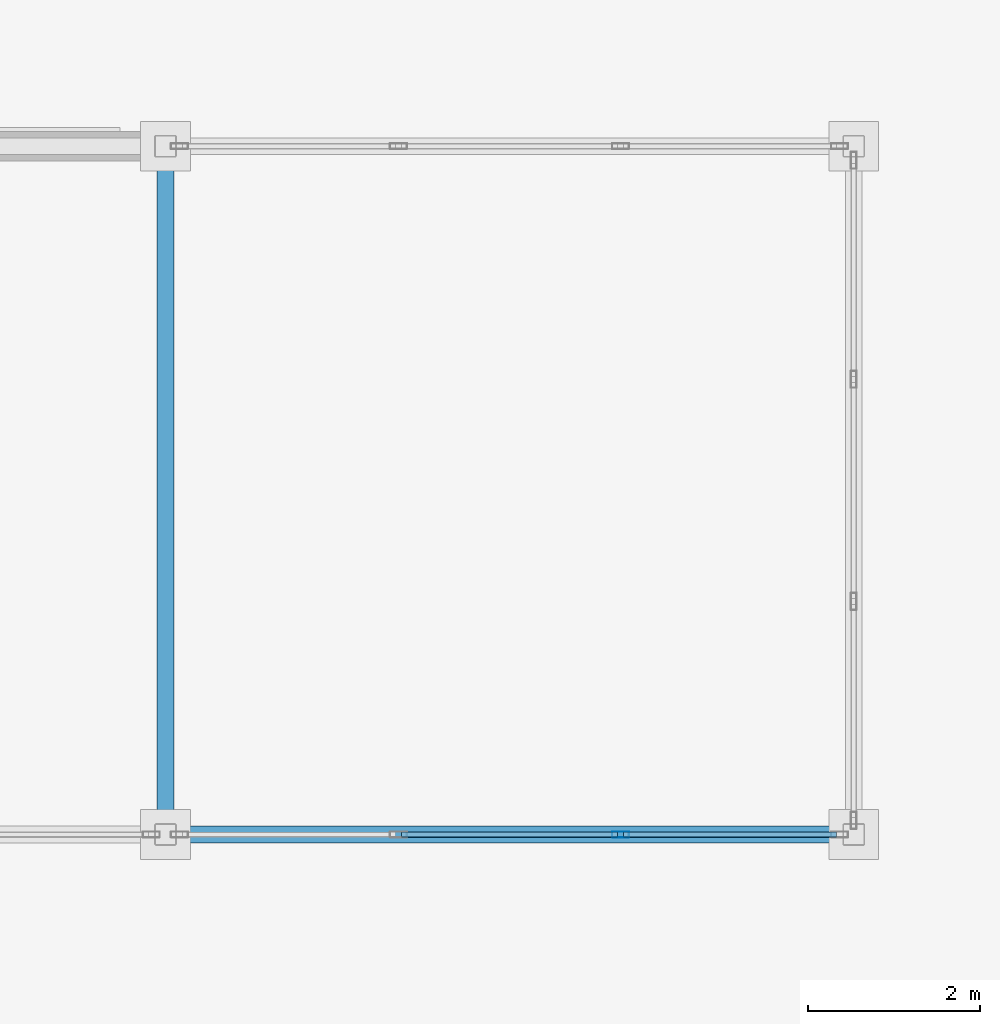
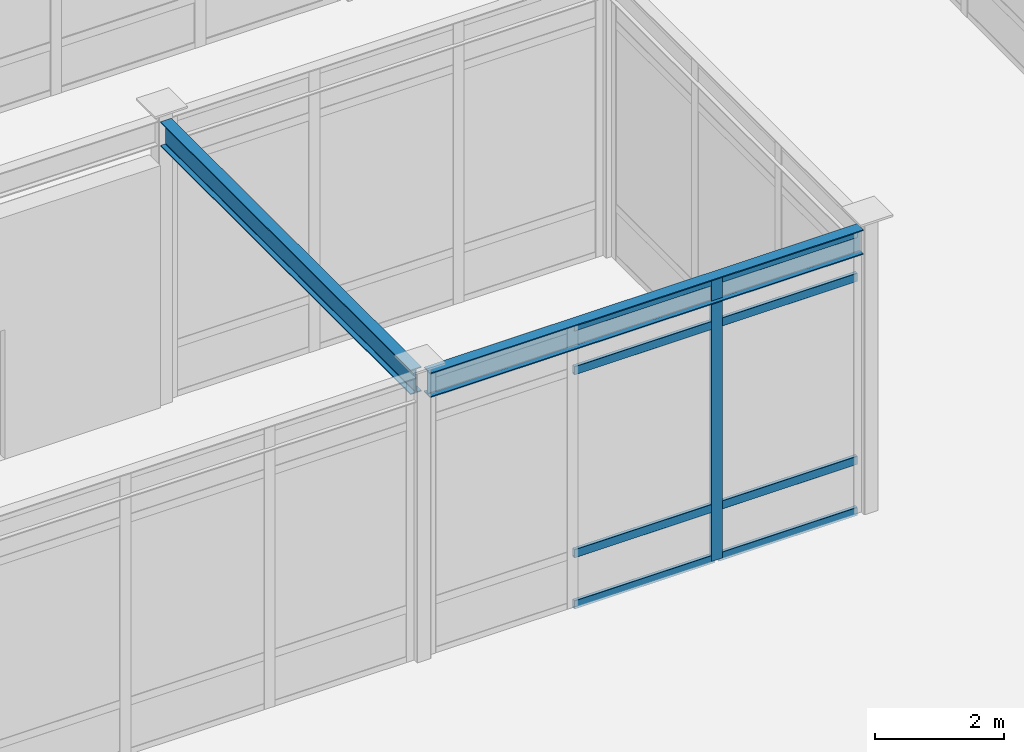
# One storey, part 45 of 128: 9 members, 2 beams, 1 element without a shape of its own.
"""IFC4 building model written with IfcOpenShell, lengths in metres."""

from ifc_helpers import new_model, si_unit, direction, frame, origin, origin_2d, place, context, subcontext, project, spatial, hollow_rectangle, i_section, extrude, material, material_profile, profile_set, type_object, element, aggregate, save


model = new_model("IFC4")

# Units and contexts
model_context = context("Model", 3, precision=1e-05, world=origin(), true_north=direction((0.0, 1.0)))
body_context = subcontext(model_context, "Body", "Model", "MODEL_VIEW")
ifc_project = project(units=[si_unit("LENGTHUNIT", "METRE"), si_unit("AREAUNIT", "SQUARE_METRE"), si_unit("VOLUMEUNIT", "CUBIC_METRE"), si_unit("PLANEANGLEUNIT", "RADIAN"), si_unit("MASSUNIT", "GRAM", prefix="KILO")], contexts=[model_context])

# Site, building, storey
site_placement = place(None, origin())
site = spatial("IfcSite", under=ifc_project, at=site_placement, CompositionType="ELEMENT")
building_placement = place(site_placement, origin())
building = spatial("IfcBuilding", under=site, at=building_placement, Name="Solmirada Galleria", CompositionType="ELEMENT")
storey_placement = place(building_placement, origin())
storey = spatial("IfcBuildingStorey", under=building, at=storey_placement, Name="L00", CompositionType="ELEMENT", Elevation=0.0)

# Beams
ifc_material_1 = material(Name="Steel S355 / ASTM A992 Grade 50", Category="steel")
ifc_material_profile_1 = material_profile(ifc_material_1, i_section(OverallWidth=0.193115234375, OverallDepth=0.466064453125, WebThickness=0.011474609375, FlangeThickness=0.01904296875, FilletRadius=0.013916015625, at=origin_2d()), Name="W18X65")
ifc_profile_set_1 = profile_set([ifc_material_profile_1], Name="Steel S355 / ASTM A992 Grade 50")
beam_type = type_object("IfcBeamType", Name="BM-GIRD-W18C", PredefinedType="BEAM", material=ifc_profile_set_1)
for number, where, z_axis, x_axis, name in (
    (1, (64.126953125, 56.0, 5.139892578125), (1.0, 0.0, 0.0), (0.0, 1.0, 0.0), "Arcade boutique roof girder BW"),
    (2, (64.0, 56.126953125, 5.139892578125), (0.0, 1.0, 0.0), (-1.0, 0.0, 0.0), "Arcade boutique transverse girder BW"),
):
    element("IfcBeam", number, at=place(storey_placement, frame(where, z_axis=z_axis, x_axis=x_axis)), inside=storey, type_object=beam_type, Name=name, PredefinedType="BEAM", context=body_context, shape_type="SweptSolid", body=[
        extrude(i_section(OverallWidth=0.193115234375, OverallDepth=0.466064453125, WebThickness=0.011474609375, FlangeThickness=0.01904296875, FilletRadius=0.013916015625, at=origin_2d()), origin(), (0.0, 0.0, 1.0), 7.74609375),
    ])

# Curtain wall, members
ifc_material_2 = material(Name="Impact-resistant low-E double glazing", Category="glass")
curtain_wall_type = type_object("IfcCurtainWallType", Name="CW-FZ5-L00-B3-L077", PredefinedType="NOTDEFINED", material=ifc_material_2)
curtain_wall_placement = place(storey_placement, origin())
curtain_wall = element("IfcCurtainWall", 3, at=curtain_wall_placement, inside=storey, type_object=curtain_wall_type, Name="Terrace and arcade storefront CW-L00-032", PredefinedType="NOTDEFINED")
ifc_material_3 = material(Name="Anodised aluminium framing", Category="aluminium")
ifc_material_profile_2 = material_profile(ifc_material_3, hollow_rectangle(XDim=0.070068359375, YDim=0.199951171875, WallThickness=0.004150390625, InnerFilletRadius=0.004150390625, OuterFilletRadius=0.00830078125, at=origin_2d()), Name="ALU-MULL-200X70")
ifc_profile_set_2 = profile_set([ifc_material_profile_2], Name="Anodised aluminium framing")
member_type_1 = type_object("IfcMemberType", Name="CW-MULL-200", PredefinedType="MULLION", material=ifc_profile_set_2)
member_1_placement = place(storey_placement, frame((69.290283203125, 56.0, 0.0), z_axis=(0.0, 0.0, 1.0), x_axis=(0.0, -1.0, 0.0)))
member_1 = element("IfcMember", 4, at=member_1_placement, type_object=member_type_1, Name="CW08 mullion 2", PredefinedType="MULLION", context=body_context, shape_type="SweptSolid", body=[
    extrude(hollow_rectangle(XDim=0.070068359375, YDim=0.199951171875, WallThickness=0.004150390625, InnerFilletRadius=0.004150390625, OuterFilletRadius=0.00830078125, at=origin_2d()), origin(), (0.0, 0.0, 1.0), 5.320068359375),
])
ifc_material_profile_3 = material_profile(ifc_material_3, hollow_rectangle(XDim=0.06494140625, YDim=0.159912109375, WallThickness=0.00390625, InnerFilletRadius=0.00390625, OuterFilletRadius=0.007568359375, at=origin_2d()), Name="ALU-TRAN-160X65")
ifc_profile_set_3 = profile_set([ifc_material_profile_3], Name="Anodised aluminium framing")
member_type_2 = type_object("IfcMemberType", Name="CW-TRAN-160", PredefinedType="USERDEFINED", material=ifc_profile_set_3)
member_2_placement = place(storey_placement, frame((71.801025390625, 56.0, 0.032470703125), z_axis=(-1.0, 0.0, 0.0), x_axis=(0.0, -1.0, 0.0)))
member_2 = element("IfcMember", 5, at=member_2_placement, type_object=member_type_2, Name="CW08 transom 1.1", ObjectType="TRANSOM", PredefinedType="USERDEFINED", context=body_context, shape_type="SweptSolid", body=[
    extrude(hollow_rectangle(XDim=0.06494140625, YDim=0.159912109375, WallThickness=0.00390625, InnerFilletRadius=0.00390625, OuterFilletRadius=0.007568359375, at=origin_2d()), origin(), (0.0, 0.0, 1.0), 2.4755859375),
])
member_3_placement = place(storey_placement, frame((71.801025390625, 56.0, 1.0), z_axis=(-1.0, 0.0, 0.0), x_axis=(0.0, -1.0, 0.0)))
member_3 = element("IfcMember", 6, at=member_3_placement, type_object=member_type_2, Name="CW08 transom 1.2", ObjectType="TRANSOM", PredefinedType="USERDEFINED", context=body_context, shape_type="SweptSolid", body=[
    extrude(hollow_rectangle(XDim=0.06494140625, YDim=0.159912109375, WallThickness=0.00390625, InnerFilletRadius=0.00390625, OuterFilletRadius=0.007568359375, at=origin_2d()), origin(), (0.0, 0.0, 1.0), 2.4755859375),
])
member_4_placement = place(storey_placement, frame((71.801025390625, 56.0, 4.4599609375), z_axis=(-1.0, 0.0, 0.0), x_axis=(0.0, -1.0, 0.0)))
member_4 = element("IfcMember", 7, at=member_4_placement, type_object=member_type_2, Name="CW08 transom 1.3", ObjectType="TRANSOM", PredefinedType="USERDEFINED", context=body_context, shape_type="SweptSolid", body=[
    extrude(hollow_rectangle(XDim=0.06494140625, YDim=0.159912109375, WallThickness=0.00390625, InnerFilletRadius=0.00390625, OuterFilletRadius=0.007568359375, at=origin_2d()), origin(), (0.0, 0.0, 1.0), 2.4755859375),
])
member_5_placement = place(storey_placement, frame((71.801025390625, 56.0, 5.28759765625), z_axis=(-1.0, 0.0, 0.0), x_axis=(0.0, -1.0, 0.0)))
member_5 = element("IfcMember", 8, at=member_5_placement, type_object=member_type_2, Name="CW08 transom 1.4", ObjectType="TRANSOM", PredefinedType="USERDEFINED", context=body_context, shape_type="SweptSolid", body=[
    extrude(hollow_rectangle(XDim=0.06494140625, YDim=0.159912109375, WallThickness=0.00390625, InnerFilletRadius=0.00390625, OuterFilletRadius=0.007568359375, at=origin_2d()), origin(), (0.0, 0.0, 1.0), 2.4755859375),
])
member_6_placement = place(storey_placement, frame((69.25537109375, 56.0, 0.032470703125), z_axis=(-1.0, 0.0, 0.0), x_axis=(0.0, -1.0, 0.0)))
member_6 = element("IfcMember", 9, at=member_6_placement, type_object=member_type_2, Name="CW08 transom 2.1", ObjectType="TRANSOM", PredefinedType="USERDEFINED", context=body_context, shape_type="SweptSolid", body=[
    extrude(hollow_rectangle(XDim=0.06494140625, YDim=0.159912109375, WallThickness=0.00390625, InnerFilletRadius=0.00390625, OuterFilletRadius=0.007568359375, at=origin_2d()), origin(), (0.0, 0.0, 1.0), 2.5107421875),
])
member_7_placement = place(storey_placement, frame((69.25537109375, 56.0, 1.0), z_axis=(-1.0, 0.0, 0.0), x_axis=(0.0, -1.0, 0.0)))
member_7 = element("IfcMember", 10, at=member_7_placement, type_object=member_type_2, Name="CW08 transom 2.2", ObjectType="TRANSOM", PredefinedType="USERDEFINED", context=body_context, shape_type="SweptSolid", body=[
    extrude(hollow_rectangle(XDim=0.06494140625, YDim=0.159912109375, WallThickness=0.00390625, InnerFilletRadius=0.00390625, OuterFilletRadius=0.007568359375, at=origin_2d()), origin(), (0.0, 0.0, 1.0), 2.5107421875),
])
member_8_placement = place(storey_placement, frame((69.25537109375, 56.0, 4.4599609375), z_axis=(-1.0, 0.0, 0.0), x_axis=(0.0, -1.0, 0.0)))
member_8 = element("IfcMember", 11, at=member_8_placement, type_object=member_type_2, Name="CW08 transom 2.3", ObjectType="TRANSOM", PredefinedType="USERDEFINED", context=body_context, shape_type="SweptSolid", body=[
    extrude(hollow_rectangle(XDim=0.06494140625, YDim=0.159912109375, WallThickness=0.00390625, InnerFilletRadius=0.00390625, OuterFilletRadius=0.007568359375, at=origin_2d()), origin(), (0.0, 0.0, 1.0), 2.5107421875),
])
member_9_placement = place(storey_placement, frame((69.25537109375, 56.0, 5.28759765625), z_axis=(-1.0, 0.0, 0.0), x_axis=(0.0, -1.0, 0.0)))
member_9 = element("IfcMember", 12, at=member_9_placement, type_object=member_type_2, Name="CW08 transom 2.4", ObjectType="TRANSOM", PredefinedType="USERDEFINED", context=body_context, shape_type="SweptSolid", body=[
    extrude(hollow_rectangle(XDim=0.06494140625, YDim=0.159912109375, WallThickness=0.00390625, InnerFilletRadius=0.00390625, OuterFilletRadius=0.007568359375, at=origin_2d()), origin(), (0.0, 0.0, 1.0), 2.5107421875),
])
aggregate(curtain_wall, [member_1, member_2, member_3, member_4, member_5, member_6, member_7, member_8, member_9])

save(model, "model.ifc")
